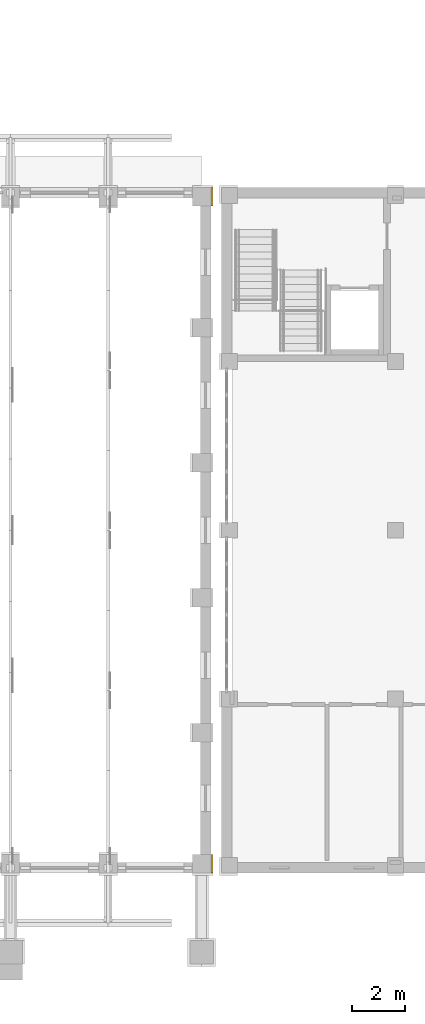
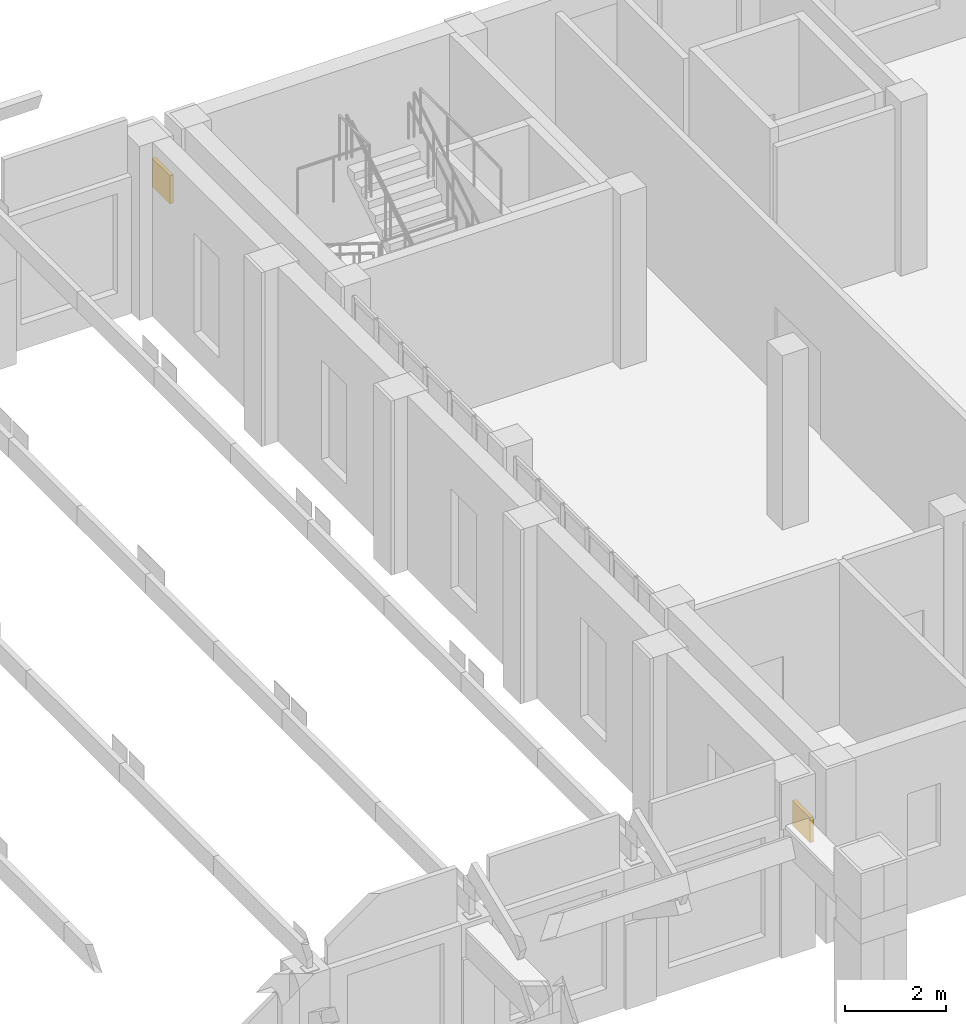
# One storey, part 97 of 99: 2 coverings.
"""IFC4 building model written with IfcOpenShell, lengths in metres."""

from ifc_helpers import new_model, si_unit, direction, frame, origin, place, context, subcontext, project, spatial, polyline, outline, extrude, material, layer, layer_set, type_object, element, save


model = new_model("IFC4")

# Units and contexts
model_context = context("Model", 3, precision=1e-05, world=origin(), true_north=direction((0.0, 1.0)))
body_context = subcontext(model_context, "Body", "Model", "MODEL_VIEW")
ifc_project = project(units=[si_unit("LENGTHUNIT", "METRE"), si_unit("AREAUNIT", "SQUARE_METRE"), si_unit("VOLUMEUNIT", "CUBIC_METRE"), si_unit("PLANEANGLEUNIT", "RADIAN"), si_unit("MASSUNIT", "GRAM", prefix="KILO")], contexts=[model_context])

# Site, building, storey
site_placement = place(None, origin())
site = spatial("IfcSite", under=ifc_project, at=site_placement, CompositionType="ELEMENT")
building_placement = place(site_placement, origin())
building = spatial("IfcBuilding", under=site, at=building_placement, Name="Wasatch Bagh Community Centre", CompositionType="ELEMENT")
storey_placement = place(building_placement, frame((0.0, 0.0, 4.199951171875)))
storey = spatial("IfcBuildingStorey", under=building, at=storey_placement, Name="L01", CompositionType="ELEMENT", Elevation=4.199951171875)

# Coverings
ifc_material = material(Name="Cast stone cladding", Category="masonry")
ifc_layer = layer(ifc_material, 0.080078125)
ifc_layer_set = layer_set([ifc_layer], Name="Cast stone cladding")
covering_type = type_object("IfcCoveringType", Name="CL-C1 column facing", PredefinedType="CLADDING", material=ifc_layer_set)
covering_1_placement = place(storey_placement, frame((0.0, 0.0, 2.5)))
element("IfcCovering", 1, at=covering_1_placement, inside=storey, type_object=covering_type, Name="Column facing", PredefinedType="CLADDING", context=body_context, shape_type="SweptSolid", body=[
    extrude(outline(polyline([(96.0, 6.0), (96.0, 6.699951171875), (96.080078125, 6.699951171875), (96.080078125, 6.0), (96.0, 6.0)])), origin(), (0.0, 0.0, 1.0), 0.60009765625),
])
covering_2_placement = place(storey_placement, frame((0.0, 0.0, 2.570556640625)))
element("IfcCovering", 2, at=covering_2_placement, inside=storey, type_object=covering_type, Name="Column facing", PredefinedType="CLADDING", context=body_context, shape_type="SweptSolid", body=[
    extrude(outline(polyline([(96.0, 31.300048828125), (96.0, 32.0), (96.080078125, 32.0), (96.080078125, 31.300048828125), (96.0, 31.300048828125)])), origin(), (0.0, 0.0, 1.0), 0.679443359375),
])

save(model, "model.ifc")
